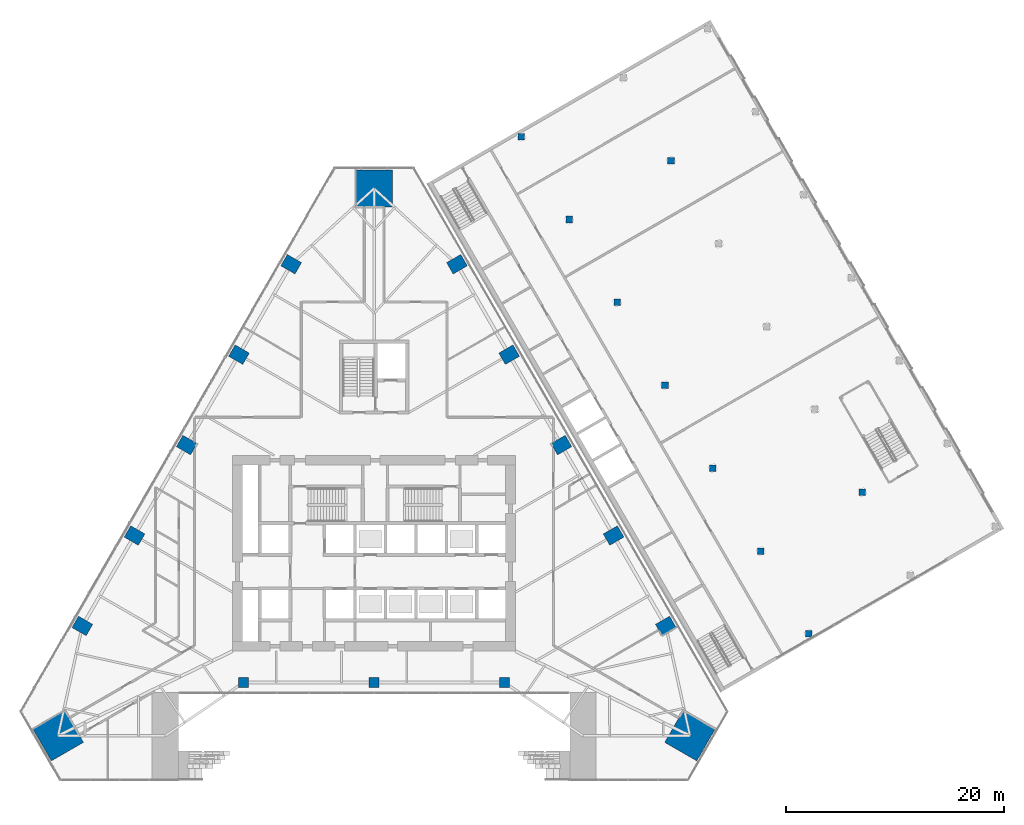
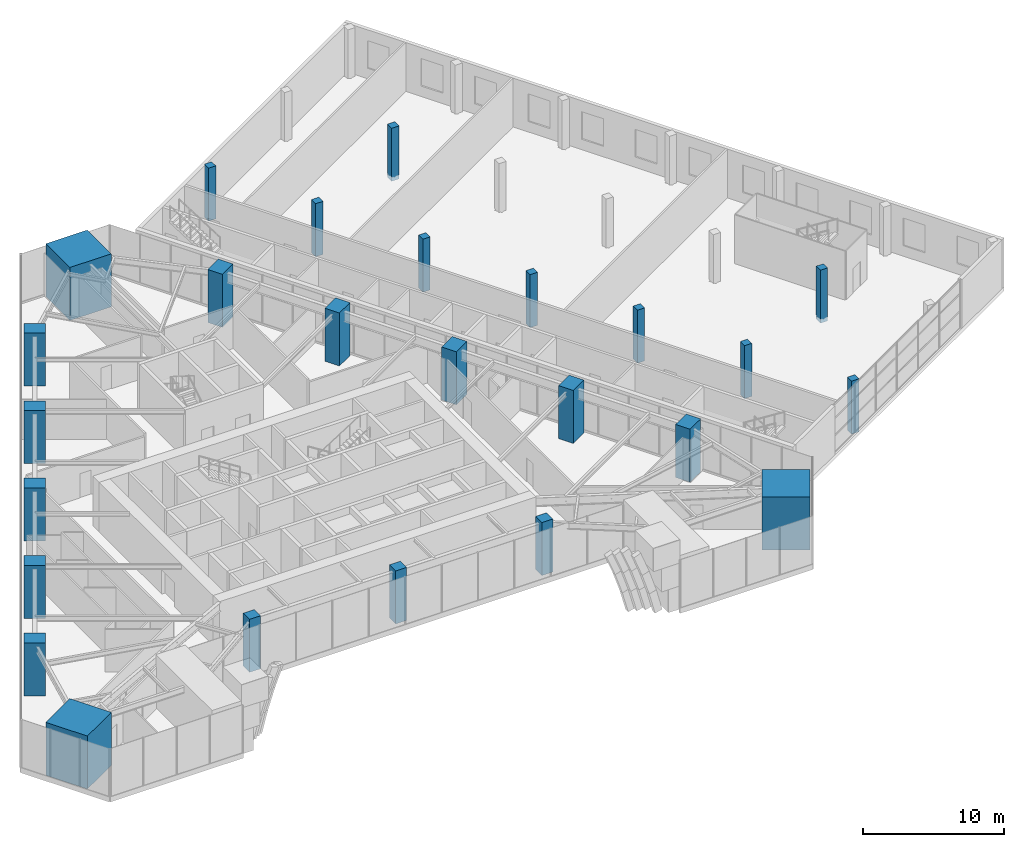
# One storey, part 1 of 29: 25 columns.
"""IFC4 building model written with IfcOpenShell, lengths in metres."""

from ifc_helpers import new_model, si_unit, direction, frame, origin, origin_2d, place, context, subcontext, project, spatial, rectangle, extrude, material, material_profile, profile_set, type_object, element, save


model = new_model("IFC4")

# Units and contexts
model_context = context("Model", 3, precision=1e-05, world=origin(), true_north=direction((0.0, 1.0)))
body_context = subcontext(model_context, "Body", "Model", "MODEL_VIEW")
ifc_project = project(units=[si_unit("LENGTHUNIT", "METRE"), si_unit("AREAUNIT", "SQUARE_METRE"), si_unit("VOLUMEUNIT", "CUBIC_METRE"), si_unit("PLANEANGLEUNIT", "RADIAN"), si_unit("MASSUNIT", "GRAM", prefix="KILO")], contexts=[model_context])

# Site, building, storey
site_placement = place(None, origin())
site = spatial("IfcSite", under=ifc_project, at=site_placement, CompositionType="ELEMENT")
building_placement = place(site_placement, origin())
building = spatial("IfcBuilding", under=site, at=building_placement, Name="Firuza Gate Tower and Library", CompositionType="ELEMENT")
storey_placement = place(building_placement, frame((0.0, 0.0, 8.0)))
storey = spatial("IfcBuildingStorey", under=building, at=storey_placement, Name="L01", CompositionType="ELEMENT", Elevation=8.0)

# Columns
ifc_material_1 = material(Name="Concrete C60/75", Category="concrete")
ifc_material_profile_1 = material_profile(ifc_material_1, rectangle(XDim=0.89990234375, YDim=0.89990234375, at=origin_2d()))
ifc_profile_set_1 = profile_set([ifc_material_profile_1], Name="Concrete C60/75")
column_type_1 = type_object("IfcColumnType", Name="Basement column 900x900 C60/75", PredefinedType="COLUMN", material=ifc_profile_set_1)
for number, where, z_axis, x_axis, name in (
    (1, (63.0, 63.115478515625, 0.0), (0.0, 0.0, 1.0), (1.0, 0.0, 0.0), "Column L01 bc1"),
    (2, (75.0, 63.115478515625, 0.0), (0.0, 0.0, 1.0), (1.0, 0.0, 0.0), "Column L01 bc2"),
    (3, (87.0, 63.115478515625, 0.0), (0.0, 0.0, 1.0), (1.0, 0.0, 0.0), "Column L01 bc3"),
):
    element("IfcColumn", number, at=place(storey_placement, frame(where, z_axis=z_axis, x_axis=x_axis)), inside=storey, type_object=column_type_1, Name=name, PredefinedType="COLUMN", context=body_context, shape_type="SweptSolid", body=[
        extrude(rectangle(XDim=0.89990234375, YDim=0.89990234375, at=origin_2d()), origin(), (0.0, 0.0, 1.0), 4.60009765625),
    ])
ifc_material_2 = material(Name="Concrete C40/50", Category="concrete")
ifc_material_profile_2 = material_profile(ifc_material_2, rectangle(XDim=0.60009765625, YDim=0.60009765625, at=origin_2d()))
ifc_profile_set_2 = profile_set([ifc_material_profile_2], Name="Concrete C40/50")
column_type_2 = type_object("IfcColumnType", Name="LIB COLUMN 600", PredefinedType="COLUMN", material=ifc_profile_set_2)
for number, where, z_axis, x_axis, name in (
    (4, (114.947021484375, 67.5791015625, -0.360107421875), (0.0, 0.0, 1.0), (1.0, 0.0, 0.0), "Library column 1A"),
    (5, (110.546875, 75.2001953125, -0.360107421875), (0.0, 0.0, 1.0), (1.0, 0.0, 0.0), "Library column 2A"),
    (6, (119.89990234375, 80.600341796875, -0.360107421875), (0.0, 0.0, 1.0), (1.0, 0.0, 0.0), "Library column 2B"),
    (7, (106.14697265625, 82.8212890625, -0.360107421875), (0.0, 0.0, 1.0), (1.0, 0.0, 0.0), "Library column 3A"),
    (8, (101.746826171875, 90.4423828125, -0.360107421875), (0.0, 0.0, 1.0), (1.0, 0.0, 0.0), "Library column 4A"),
    (9, (97.346923828125, 98.063232421875, -0.360107421875), (0.0, 0.0, 1.0), (1.0, 0.0, 0.0), "Library column 5A"),
    (10, (92.947021484375, 105.684326171875, -0.360107421875), (0.0, 0.0, 1.0), (1.0, 0.0, 0.0), "Library column 6A"),
    (11, (102.2998046875, 111.08447265625, -0.360107421875), (0.0, 0.0, 1.0), (1.0, 0.0, 0.0), "Library column 6B"),
    (12, (88.546875, 113.305419921875, -0.360107421875), (0.0, 0.0, 1.0), (1.0, 0.0, 0.0), "Library column 7A"),
):
    element("IfcColumn", number, at=place(storey_placement, frame(where, z_axis=z_axis, x_axis=x_axis)), inside=storey, type_object=column_type_2, Name=name, PredefinedType="COLUMN", context=body_context, shape_type="SweptSolid", body=[
        extrude(rectangle(XDim=0.60009765625, YDim=0.60009765625, at=origin_2d()), origin(), (0.0, 0.0, 1.0), 4.60009765625),
    ])
ifc_material_3 = material(Name="Concrete C80/95", Category="concrete")
ifc_material_profile_3 = material_profile(ifc_material_3, rectangle(XDim=3.39990234375, YDim=3.39990234375, at=origin_2d()))
ifc_profile_set_3 = profile_set([ifc_material_profile_3], Name="Concrete C80/95")
column_type_3 = type_object("IfcColumnType", Name="Mega column 3400x3400 C80/95", PredefinedType="COLUMN", material=ifc_profile_set_3)
for number, where, z_axis, x_axis, name in (
    (13, (104.041259765625, 58.233154296875, 0.0), (0.0, 0.0, 1.0), (0.5, 0.866025403784, 0.0), "Mega column SE L01"),
    (14, (75.0, 108.533935546875, 0.0), (0.0, 0.0, 1.0), (-1.0, 0.0, 0.0), "Mega column N L01"),
    (15, (45.958740234375, 58.233154296875, 0.0), (0.0, 0.0, 1.0), (0.5, -0.866025403784, 0.0), "Mega column SW L01"),
):
    element("IfcColumn", number, at=place(storey_placement, frame(where, z_axis=z_axis, x_axis=x_axis)), inside=storey, type_object=column_type_3, Name=name, PredefinedType="COLUMN", context=body_context, shape_type="SweptSolid", body=[
        extrude(rectangle(XDim=3.39990234375, YDim=3.39990234375, at=origin_2d()), origin(), (0.0, 0.0, 1.0), 4.60009765625),
    ])
ifc_material_4 = material(Name="Concrete C60/75", Category="concrete")
ifc_material_profile_4 = material_profile(ifc_material_4, rectangle(XDim=1.199951171875, YDim=1.5, at=origin_2d()))
ifc_profile_set_4 = profile_set([ifc_material_profile_4], Name="Concrete C60/75")
column_type_4 = type_object("IfcColumnType", Name="Perimeter column 1200x1500 C60/75", PredefinedType="COLUMN", material=ifc_profile_set_4)
for number, where, z_axis, x_axis, name in (
    (16, (101.820556640625, 68.314697265625, -0.00048828125), (0.0, 0.0, 1.0), (-0.5, 0.866025403784, 0.0), "Column E1 L01"),
    (17, (97.0205078125, 76.62841796875, -0.00048828125), (0.0, 0.0, 1.0), (-0.5, 0.866025403784, 0.0), "Column E2 L01"),
    (18, (92.220458984375, 84.9423828125, -0.00048828125), (0.0, 0.0, 1.0), (-0.5, 0.866025403784, 0.0), "Column E3 L01"),
    (19, (87.420654296875, 93.256103515625, -0.00048828125), (0.0, 0.0, 1.0), (-0.5, 0.866025403784, 0.0), "Column E4 L01"),
    (20, (82.62060546875, 101.570068359375, -0.00048828125), (0.0, 0.0, 1.0), (-0.5, 0.866025403784, 0.0), "Column E5 L01"),
    (21, (67.37939453125, 101.570068359375, -0.00048828125), (0.0, 0.0, 1.0), (-0.5, -0.866025403784, 0.0), "Column W1 L01"),
    (22, (62.579345703125, 93.256103515625, -0.00048828125), (0.0, 0.0, 1.0), (-0.5, -0.866025403784, 0.0), "Column W2 L01"),
    (23, (57.779541015625, 84.9423828125, -0.00048828125), (0.0, 0.0, 1.0), (-0.5, -0.866025403784, 0.0), "Column W3 L01"),
    (24, (52.9794921875, 76.62841796875, -0.00048828125), (0.0, 0.0, 1.0), (-0.5, -0.866025403784, 0.0), "Column W4 L01"),
    (25, (48.179443359375, 68.314697265625, -0.00048828125), (0.0, 0.0, 1.0), (-0.5, -0.866025403784, 0.0), "Column W5 L01"),
):
    element("IfcColumn", number, at=place(storey_placement, frame(where, z_axis=z_axis, x_axis=x_axis)), inside=storey, type_object=column_type_4, Name=name, PredefinedType="COLUMN", context=body_context, shape_type="SweptSolid", body=[
        extrude(rectangle(XDim=1.199951171875, YDim=1.5, at=origin_2d()), origin(), (0.0, 0.0, 1.0), 4.6005859375),
    ])

save(model, "model.ifc")
